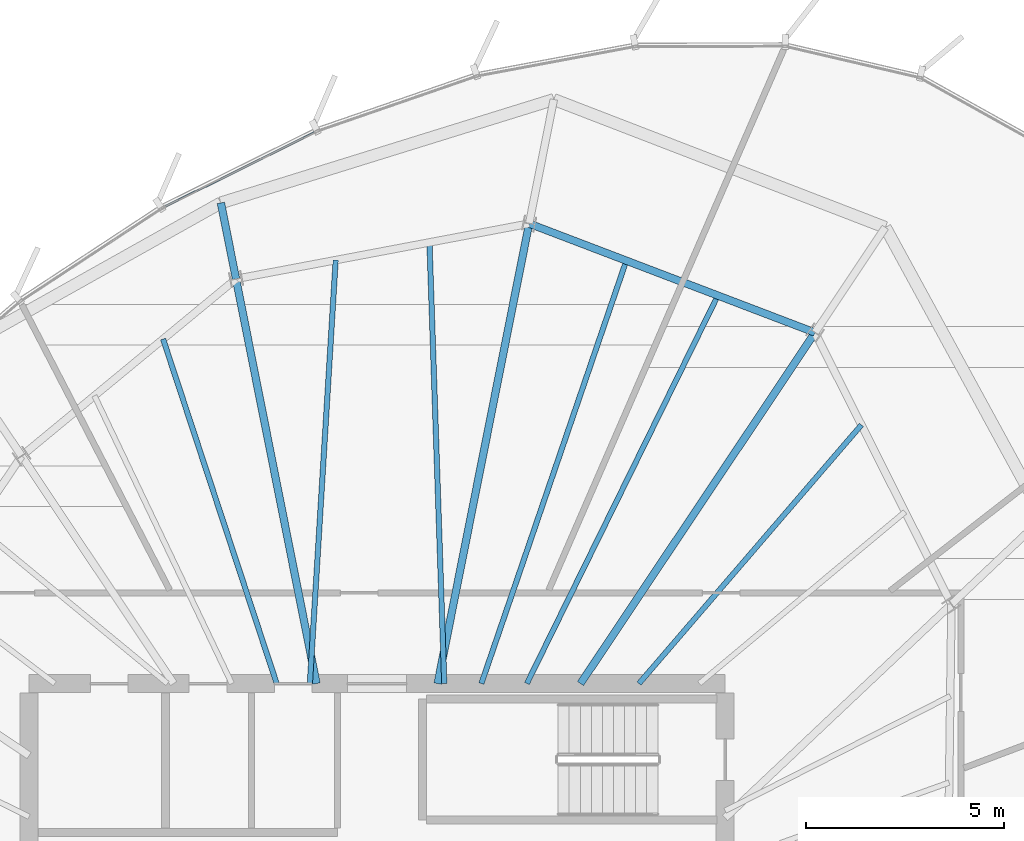
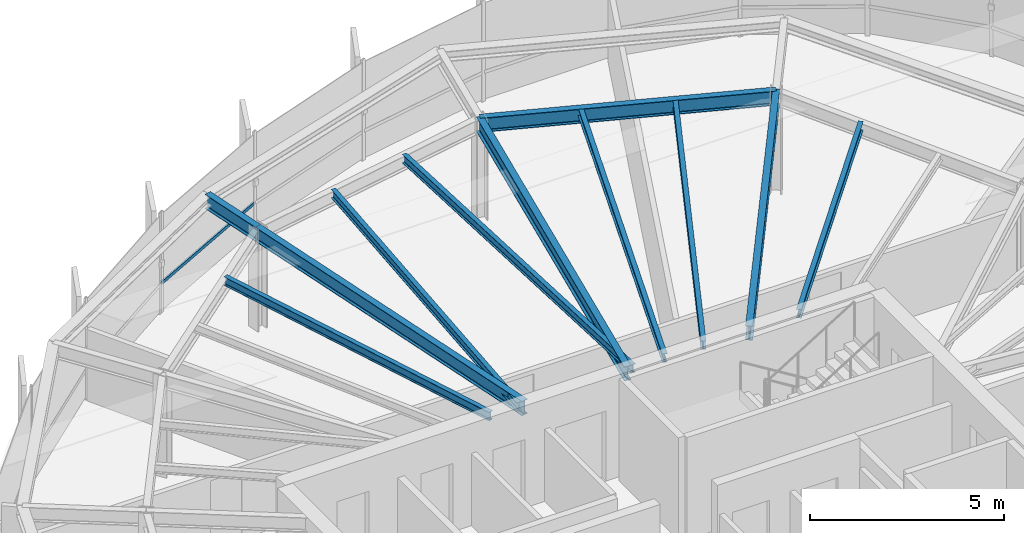
# One storey, part 22 of 35: 11 beams, 1 member, 1 element without a shape of its own.
"""IFC4 building model written with IfcOpenShell, lengths in metres."""

from ifc_helpers import new_model, si_unit, direction, frame, origin, origin_2d, place, context, subcontext, project, spatial, hollow_rectangle, i_section, extrude, source, transform, mapped, material, layer, layer_set, material_profile, profile_set, type_object, element, aggregate, save


model = new_model("IFC4")

# Units and contexts
model_context = context("Model", 3, precision=1e-05, world=origin(), true_north=direction((0.0, 1.0)))
body_context = subcontext(model_context, "Body", "Model", "MODEL_VIEW")
ifc_project = project(units=[si_unit("LENGTHUNIT", "METRE"), si_unit("AREAUNIT", "SQUARE_METRE"), si_unit("VOLUMEUNIT", "CUBIC_METRE"), si_unit("PLANEANGLEUNIT", "RADIAN"), si_unit("MASSUNIT", "GRAM", prefix="KILO"), si_unit("THERMODYNAMICTEMPERATUREUNIT", "KELVIN")], contexts=[model_context])

# Site, building, storey
site_placement = place(None, origin())
site = spatial("IfcSite", under=ifc_project, at=site_placement, CompositionType="ELEMENT")
building_placement = place(site_placement, origin())
building = spatial("IfcBuilding", under=site, at=building_placement, Name="Kethvar Cultural Tower", CompositionType="ELEMENT")
storey_placement = place(building_placement, frame((0.0, 0.0, 245.64990234375)))
storey = spatial("IfcBuildingStorey", under=building, at=storey_placement, Name="L64", CompositionType="ELEMENT", Elevation=245.64990234375)

# Beams
ifc_material_1 = material(Name="Steel S355J2", Category="steel")
ifc_material_profile_1 = material_profile(ifc_material_1, i_section(OverallWidth=0.18994140625, OverallDepth=0.449951171875, WebThickness=0.009521484375, FlangeThickness=0.0146484375, FilletRadius=0.02099609375, at=origin_2d()), Name="Steel S355J2 — IPE450")
ifc_profile_set_1 = profile_set([ifc_material_profile_1], Name="Steel S355J2 — IPE450")
beam_type_1 = type_object("IfcBeamType", Name="BM-IPE450", PredefinedType="BEAM", material=ifc_profile_set_1)
shared_shape_1 = source(origin(), body_context, "Body", "SweptSolid", [
    extrude(i_section(OverallWidth=0.18994140625, OverallDepth=0.449951171875, WebThickness=0.009521484375, FlangeThickness=0.0146484375, FilletRadius=0.02099609375, at=origin_2d()), origin(), (0.0, 0.0, 1.0), 10.673828125),
])
beam_1_placement = place(storey_placement, frame((51.945068359375, 35.5, 2.983154296875), z_axis=(0.555576086183, 0.831465701314, 0.0), x_axis=(-0.831465701314, 0.555576086183, 0.0)))
element("IfcBeam", 1, at=beam_1_placement, inside=storey, type_object=beam_type_1, Name="L64 Primary Radial Beam RB-03", PredefinedType="BEAM", context=body_context, shape_type="MappedRepresentation", body=[
    mapped(shared_shape_1, transform((0.0, 0.0, 0.0), scale=1.0)),
])
shared_shape_2 = source(origin(), body_context, "Body", "SweptSolid", [
    extrude(i_section(OverallWidth=0.18994140625, OverallDepth=0.449951171875, WebThickness=0.009521484375, FlangeThickness=0.0146484375, FilletRadius=0.02099609375, at=origin_2d()), origin(), (0.0, 0.0, 1.0), 11.859375),
])
beam_2_placement = place(storey_placement, frame((48.33154296875, 35.5, 2.983154296875), z_axis=(0.195094640585, 0.980784421377, 0.0), x_axis=(-0.980784421377, 0.195094640585, 0.0)))
element("IfcBeam", 2, at=beam_2_placement, inside=storey, type_object=beam_type_1, Name="L64 Primary Radial Beam RB-04", PredefinedType="BEAM", context=body_context, shape_type="MappedRepresentation", body=[
    mapped(shared_shape_2, transform((0.0, 0.0, 0.0), scale=1.0)),
])
shared_shape_3 = source(origin(), body_context, "Body", "SweptSolid", [
    extrude(i_section(OverallWidth=0.18994140625, OverallDepth=0.449951171875, WebThickness=0.009521484375, FlangeThickness=0.0146484375, FilletRadius=0.02099609375, at=origin_2d()), origin(), (0.0, 0.0, 1.0), 10.432861328125),
])
beam_3_placement = place(storey_placement, frame((45.268310546875, 35.5, 2.983154296875), z_axis=(-0.195094483249, 0.980784452673, 0.0), x_axis=(-0.980784452673, -0.195094483249, 0.0)))
element("IfcBeam", 3, at=beam_3_placement, inside=storey, type_object=beam_type_1, Name="L64 Primary Radial Beam RB-05", PredefinedType="BEAM", context=body_context, shape_type="MappedRepresentation", body=[
    mapped(shared_shape_3, transform((0.0, 0.0, 0.0), scale=1.0)),
])
ifc_material_profile_2 = material_profile(ifc_material_1, i_section(OverallWidth=0.135009765625, OverallDepth=0.27001953125, WebThickness=0.006591796875, FlangeThickness=0.01025390625, FilletRadius=0.014892578125, at=origin_2d()), Name="Steel S355J2 — IPE270")
ifc_profile_set_2 = profile_set([ifc_material_profile_2], Name="Steel S355J2 — IPE270")
beam_type_2 = type_object("IfcBeamType", Name="BM-J270", PredefinedType="JOIST", material=ifc_profile_set_2)
shared_shape_4 = source(origin(), body_context, "Body", "SweptSolid", [
    extrude(i_section(OverallWidth=0.135009765625, OverallDepth=0.27001953125, WebThickness=0.006591796875, FlangeThickness=0.01025390625, FilletRadius=0.014892578125, at=origin_2d()), origin(), (0.0, 0.0, 1.0), 8.6259765625),
])
beam_4_placement = place(storey_placement, frame((53.42333984375, 35.5, 3.072998046875), z_axis=(0.65210499689, 0.758128665222, 0.0), x_axis=(-0.758128665222, 0.65210499689, 0.0)))
element("IfcBeam", 4, at=beam_4_placement, inside=storey, type_object=beam_type_2, Name="L64 Composite Floor Joist J-02B", PredefinedType="JOIST", context=body_context, shape_type="MappedRepresentation", body=[
    mapped(shared_shape_4, transform((0.0, 0.0, 0.0), scale=1.0)),
])
shared_shape_5 = source(origin(), body_context, "Body", "SweptSolid", [
    extrude(i_section(OverallWidth=0.18994140625, OverallDepth=0.449951171875, WebThickness=0.009521484375, FlangeThickness=0.0146484375, FilletRadius=0.02099609375, at=origin_2d()), origin(), (0.0, 0.0, 1.0), 7.737548828125),
])
beam_5_placement = place(storey_placement, frame((57.875244140625, 44.375, 2.983154296875), z_axis=(-0.934388230776, 0.356256416347, 0.0), x_axis=(-0.356256416347, -0.934388230776, 0.0)))
element("IfcBeam", 5, at=beam_5_placement, inside=storey, type_object=beam_type_1, Name="L64 Column Ring Tie Beam CR-03", PredefinedType="BEAM", context=body_context, shape_type="MappedRepresentation", body=[
    mapped(shared_shape_5, transform((0.0, 0.0, 0.0), scale=1.0)),
])
shared_shape_6 = source(origin(), body_context, "Body", "SweptSolid", [
    extrude(i_section(OverallWidth=0.135009765625, OverallDepth=0.27001953125, WebThickness=0.006591796875, FlangeThickness=0.01025390625, FilletRadius=0.014892578125, at=origin_2d()), origin(), (0.0, 0.0, 1.0), 10.935791015625),
])
beam_6_placement = place(storey_placement, frame((50.5888671875, 35.5, 3.072998046875), z_axis=(0.441498236677, 0.897262117227, 0.0), x_axis=(-0.897262117227, 0.441498236677, 0.0)))
element("IfcBeam", 6, at=beam_6_placement, inside=storey, type_object=beam_type_2, Name="L64 Composite Floor Joist J-03A", PredefinedType="JOIST", context=body_context, shape_type="MappedRepresentation", body=[
    mapped(shared_shape_6, transform((0.0, 0.0, 0.0), scale=1.0)),
])
shared_shape_7 = source(origin(), body_context, "Body", "SweptSolid", [
    extrude(i_section(OverallWidth=0.135009765625, OverallDepth=0.27001953125, WebThickness=0.006591796875, FlangeThickness=0.01025390625, FilletRadius=0.014892578125, at=origin_2d()), origin(), (0.0, 0.0, 1.0), 11.304931640625),
])
beam_7_placement = place(storey_placement, frame((49.438720703125, 35.5, 3.072998046875), z_axis=(0.324179110764, 0.945995720997, 0.0), x_axis=(-0.945995720997, 0.324179110764, 0.0)))
element("IfcBeam", 7, at=beam_7_placement, inside=storey, type_object=beam_type_2, Name="L64 Composite Floor Joist J-03B", PredefinedType="JOIST", context=body_context, shape_type="MappedRepresentation", body=[
    mapped(shared_shape_7, transform((0.0, 0.0, 0.0), scale=1.0)),
])
shared_shape_8 = source(origin(), body_context, "Body", "SweptSolid", [
    extrude(i_section(OverallWidth=0.135009765625, OverallDepth=0.27001953125, WebThickness=0.006591796875, FlangeThickness=0.01025390625, FilletRadius=0.014892578125, at=origin_2d()), origin(), (0.0, 0.0, 1.0), 11.162109375),
])
beam_8_placement = place(storey_placement, frame((48.5, 35.5, 3.072998046875), z_axis=(-0.0335959409, 0.999435497046, 0.0), x_axis=(-0.999435497046, -0.0335959409, 0.0)))
element("IfcBeam", 8, at=beam_8_placement, inside=storey, type_object=beam_type_2, Name="L64 Composite Floor Joist J-04A", PredefinedType="JOIST", context=body_context, shape_type="MappedRepresentation", body=[
    mapped(shared_shape_8, transform((0.0, 0.0, 0.0), scale=1.0)),
])
shared_shape_9 = source(origin(), body_context, "Body", "SweptSolid", [
    extrude(i_section(OverallWidth=0.135009765625, OverallDepth=0.27001953125, WebThickness=0.006591796875, FlangeThickness=0.01025390625, FilletRadius=0.014892578125, at=origin_2d()), origin(), (0.0, 0.0, 1.0), 10.727783203125),
])
beam_9_placement = place(storey_placement, frame((45.10009765625, 35.5, 3.072998046875), z_axis=(0.060876395586, 0.998145312297, 0.0), x_axis=(-0.998145312297, 0.060876395586, 0.0)))
element("IfcBeam", 9, at=beam_9_placement, inside=storey, type_object=beam_type_2, Name="L64 Composite Floor Joist J-04B", PredefinedType="JOIST", context=body_context, shape_type="MappedRepresentation", body=[
    mapped(shared_shape_9, transform((0.0, 0.0, 0.0), scale=1.0)),
])
shared_shape_10 = source(origin(), body_context, "Body", "SweptSolid", [
    extrude(i_section(OverallWidth=0.135009765625, OverallDepth=0.27001953125, WebThickness=0.006591796875, FlangeThickness=0.01025390625, FilletRadius=0.014892578125, at=origin_2d()), origin(), (0.0, 0.0, 1.0), 9.17138671875),
])
beam_10_placement = place(storey_placement, frame((44.260986328125, 35.5, 3.072998046875), z_axis=(-0.313151555446, 0.949703165901, 0.0), x_axis=(-0.949703165901, -0.313151555446, 0.0)))
element("IfcBeam", 10, at=beam_10_placement, inside=storey, type_object=beam_type_2, Name="L64 Composite Floor Joist J-05A", PredefinedType="JOIST", context=body_context, shape_type="MappedRepresentation", body=[
    mapped(shared_shape_10, transform((0.0, 0.0, 0.0), scale=1.0)),
])
shared_shape_11 = source(origin(), body_context, "Body", "SweptSolid", [
    extrude(i_section(OverallWidth=0.18994140625, OverallDepth=0.449951171875, WebThickness=0.009521484375, FlangeThickness=0.0146484375, FilletRadius=0.02099609375, at=origin_2d()), origin(), (0.0, 0.0, 1.0), 1.961181640625),
])
beam_11_placement = place(storey_placement, frame((43.23291015625, 45.732421875, 2.983154296875), z_axis=(-0.195062715887, 0.9807907712, 0.0), x_axis=(-0.9807907712, -0.195062715887, 0.0)))
element("IfcBeam", 11, at=beam_11_placement, inside=storey, type_object=beam_type_1, Name="L64 Perimeter Cantilever Beam RC-05", PredefinedType="BEAM", context=body_context, shape_type="MappedRepresentation", body=[
    mapped(shared_shape_11, transform((0.0, 0.0, 0.0), scale=1.0)),
])

# Curtain wall, member
ifc_material_2 = material(Name="Aluminium 6063-T6", Category="aluminium")
ifc_layer = layer(ifc_material_2, 0.179931640625, Name="Aluminium 6063-T6", Category="aluminium")
ifc_layer_set = layer_set([ifc_layer], Name="Aluminium 6063-T6 (180 mm)")
curtain_wall_type = type_object("IfcCurtainWallType", Name="CW-SYS-05-Z56", PredefinedType="NOTDEFINED", material=ifc_layer_set)
curtain_wall_placement = place(storey_placement, origin())
curtain_wall = element("IfcCurtainWall", 12, at=curtain_wall_placement, inside=storey, type_object=curtain_wall_type, Name="L64 Curtain Wall Run 01", PredefinedType="NOTDEFINED")
ifc_material_profile_3 = material_profile(ifc_material_2, hollow_rectangle(XDim=0.050048828125, YDim=0.10009765625, WallThickness=0.00390625, at=origin_2d()), Name="Aluminium 6063-T6 — RHS100x50x4")
ifc_profile_set_3 = profile_set([ifc_material_profile_3], Name="Aluminium 6063-T6 — RHS100x50x4")
member_type = type_object("IfcMemberType", Name="CW-SYS-05-Z56-TRN", PredefinedType="USERDEFINED", material=ifc_profile_set_3)
shared_shape_12 = source(origin(), body_context, "Body", "SweptSolid", [
    extrude(hollow_rectangle(XDim=0.050048828125, YDim=0.10009765625, WallThickness=0.00390625, at=origin_2d()), origin(), (0.0, 0.0, 1.0), 4.287109375),
])
member_placement = place(storey_placement, frame((45.249267578125, 49.452392578125, 0.9501953125), z_axis=(-0.895823684007, -0.444409638929, 0.0), x_axis=(0.444409638929, -0.895823684007, 0.0)))
member = element("IfcMember", 13, at=member_placement, type_object=member_type, Name="CW-L64-R01 Transom 6", ObjectType="TRANSOM", PredefinedType="USERDEFINED", context=body_context, shape_type="MappedRepresentation", body=[
    mapped(shared_shape_12, transform((0.0, 0.0, 0.0), scale=1.0)),
])
aggregate(curtain_wall, [member])

save(model, "model.ifc")
